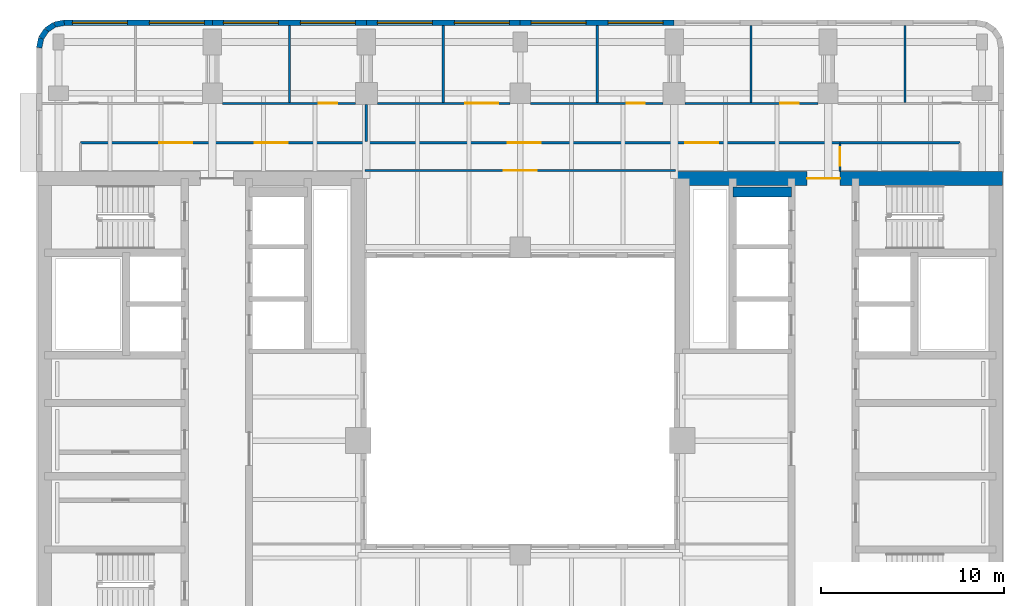
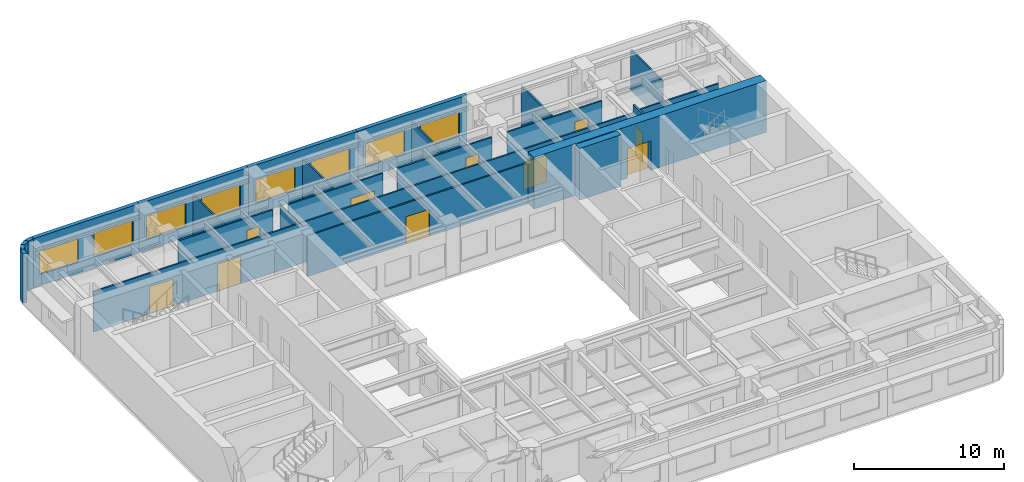
# One storey, part 7 of 11: 24 walls, 11 doors, 8 windows, 19 openings.
"""IFC4 building model written with IfcOpenShell, lengths in metres."""

import ifcopenshell
import ifcopenshell.guid

model = None  # the IFC model being written
_history = None  # IfcOwnerHistory: only IFC2X3 demands one
_inside = {}  # id of a spatial element -> (the spatial element, [elements in it])
_under = {}  # id of a project, library or spatial element -> (it, [spatial elements below it])
_declared = {}  # id of a project -> (the project, [libraries it declares])
_typed = {}  # id of a type object -> (the type object, [elements of that type])
_made_of = {}  # id of a material, layer set ... -> (it, [elements and type objects made of it])


def new_model(schema):
    """Start an empty IFC model of exactly this schema.

    Asked for "IFC4X3", IfcOpenShell would pick the latest addendum, in which some entities
    have other attributes; the version numbers below select the first issue.
    IFC2X3 requires an IfcOwnerHistory on every rooted entity: one is made here for all.
    """
    global model, _history
    if schema == "IFC4X3":
        model = ifcopenshell.file(schema_version=(4, 3, 0, 0))
    else:
        model = ifcopenshell.file(schema=schema)
    _inside.clear()
    _under.clear()
    _declared.clear()
    _typed.clear()
    _made_of.clear()
    _history = None
    if model.schema == "IFC2X3":
        org = make("IfcOrganization", Name="unknown")
        user = make(
            "IfcPersonAndOrganization",
            ThePerson=make("IfcPerson", FamilyName="unknown"),
            TheOrganization=org,
        )
        app = make(
            "IfcApplication",
            ApplicationDeveloper=org,
            Version="unknown",
            ApplicationFullName="unknown",
            ApplicationIdentifier="unknown",
        )
        _history = make(
            "IfcOwnerHistory",
            OwningUser=user,
            OwningApplication=app,
            ChangeAction="ADDED",
            CreationDate=0,
        )
    return model


def make(cls, **values):
    """One entity of the class cls with the attributes given. An attribute that is None is left unset."""
    return model.create_entity(
        cls, **{name: value for name, value in values.items() if value is not None}
    )


def rooted(cls, **values):
    """An entity with a GlobalId (a new one), such as an element, a storey or a relation."""
    return make(cls, GlobalId=ifcopenshell.guid.new(), OwnerHistory=_history, **values)


def si_unit(unit_type, name, prefix=None):
    """IfcSIUnit, for example si_unit("LENGTHUNIT", "METRE", prefix="MILLI")."""
    return make("IfcSIUnit", UnitType=unit_type, Prefix=prefix, Name=name)


def assignment(units):
    """IfcUnitAssignment: the units of a project."""
    return None if units is None else make("IfcUnitAssignment", Units=units)


def point(xyz):
    """IfcCartesianPoint."""
    return None if xyz is None else make("IfcCartesianPoint", Coordinates=xyz)


def direction(xyz):
    """IfcDirection."""
    return None if xyz is None else make("IfcDirection", DirectionRatios=xyz)


def frame(location, z_axis=None, x_axis=None):
    """IfcAxis2Placement3D, a coordinate frame: its origin and axes. An axis left out is left unset."""
    return make(
        "IfcAxis2Placement3D",
        Location=point(location),
        Axis=direction(z_axis),
        RefDirection=direction(x_axis),
    )


def frame_2d(location, x_axis=None):
    """IfcAxis2Placement2D, a coordinate frame in the plane: its origin and x axis."""
    return make(
        "IfcAxis2Placement2D", Location=point(location), RefDirection=direction(x_axis)
    )


def origin():
    """The frame at (0, 0, 0) with its axes left unset."""
    return frame((0.0, 0.0, 0.0))


def place(relative_to, where):
    """IfcLocalPlacement: puts the frame where relative to a parent placement (None: the world)."""
    return make(
        "IfcLocalPlacement", PlacementRelTo=relative_to, RelativePlacement=where
    )


def context(
    kind, dimensions, precision=None, world=None, true_north=None, identifier=None
):
    """IfcGeometricRepresentationContext, for example the 3D "Model" context."""
    return make(
        "IfcGeometricRepresentationContext",
        ContextIdentifier=identifier,
        ContextType=kind,
        CoordinateSpaceDimension=dimensions,
        Precision=precision,
        WorldCoordinateSystem=world,
        TrueNorth=true_north,
    )


def subcontext(parent, identifier, kind, view, scale=None):
    """IfcGeometricRepresentationSubContext, for example "Body" below "Model"."""
    return make(
        "IfcGeometricRepresentationSubContext",
        ContextIdentifier=identifier,
        ContextType=kind,
        ParentContext=parent,
        TargetScale=scale,
        TargetView=view,
    )


def project(units=None, contexts=None):
    """IfcProject with its units and contexts."""
    return rooted(
        "IfcProject",
        Name="project",
        RepresentationContexts=contexts,
        UnitsInContext=assignment(units),
    )


def spatial(cls, under=None, at=None, **own):
    """A site, building, storey or space (cls), placed at a placement, below another one or the project."""
    s = rooted(cls, ObjectPlacement=at, **own)
    if under is not None:
        _under.setdefault(under.id(), (under, []))[1].append(s)
    return s


def profile(cls, at=None, kind="AREA", **sizes):
    """A parametric profile (cls). Its sizes go by their IFC names, for example OverallWidth=200.0."""
    return make(cls, ProfileType=kind, Position=at, **sizes)


def rectangle(**sizes):
    """IfcRectangleProfileDef."""
    return profile("IfcRectangleProfileDef", **sizes)


def extrude(swept, where, along, depth):
    """IfcExtrudedAreaSolid: the profile swept, set in the frame where, extruded along a direction by depth."""
    return make(
        "IfcExtrudedAreaSolid",
        SweptArea=swept,
        Position=where,
        ExtrudedDirection=direction(along),
        Depth=depth,
    )


def shape(context_of_items, identifier, shape_type, items):
    """IfcShapeRepresentation: the items that make up one representation, for example the "Body"."""
    return make(
        "IfcShapeRepresentation",
        ContextOfItems=context_of_items,
        RepresentationIdentifier=identifier,
        RepresentationType=shape_type,
        Items=items,
    )


def material(Name=None, Category=None):
    """IfcMaterial."""
    return make("IfcMaterial", Name=Name, Category=Category)


def layer(
    of_material, thickness, ventilated=None, Name=None, Category=None, Priority=None
):
    """IfcMaterialLayer: one layer of a wall or slab, of a material (None: an air gap)."""
    return make(
        "IfcMaterialLayer",
        Material=of_material,
        LayerThickness=thickness,
        IsVentilated=ventilated,
        Name=Name,
        Category=Category,
        Priority=Priority,
    )


def layer_set(layers, Name=None):
    """IfcMaterialLayerSet."""
    return make("IfcMaterialLayerSet", MaterialLayers=layers, LayerSetName=Name)


def made_of(thing, what):
    """Note that an element or type object is made of a material, layer set ...; save() writes the relation."""
    if what is not None:
        _made_of.setdefault(what.id(), (what, []))[1].append(thing)
    return thing


def type_object(cls, material=None, **own):
    """A type object (cls), such as IfcWallType, which elements share."""
    return made_of(rooted(cls, **own), material)


def element(
    cls,
    number,
    at=None,
    inside=None,
    cuts=None,
    type_object=None,
    material=None,
    context=None,
    identifier="Body",
    shape_type=None,
    held_by="IfcProductDefinitionShape",
    body=None,
    shapes=None,
    **own,
):
    """One element of the class cls, such as IfcWall. Its Tag is "e" and its number.

    at: its placement. inside: the storey or other place that contains it. cuts: it is an
    opening in that element (IfcRelVoidsElement). A single representation is given by context,
    identifier, shape_type and body (its items); several are given by shapes. held_by: the class
    of the entity that holds the representations. save() writes the other relations.
    """
    e = rooted(cls, Tag="e%d" % number, ObjectPlacement=at, **own)
    if body is not None:
        shapes = [shape(context, identifier, shape_type, body)]
    if shapes is not None:
        e.Representation = make(held_by, Representations=shapes)
    if inside is not None:
        _inside.setdefault(inside.id(), (inside, []))[1].append(e)
    if cuts is not None:
        rooted(
            "IfcRelVoidsElement", RelatingBuildingElement=cuts, RelatedOpeningElement=e
        )
    if type_object is not None:
        _typed.setdefault(type_object.id(), (type_object, []))[1].append(e)
    return made_of(e, material)


def fill(opening, filler):
    """IfcRelFillsElement: the door or window that sits in an opening."""
    return rooted(
        "IfcRelFillsElement",
        RelatingOpeningElement=opening,
        RelatedBuildingElement=filler,
    )


def aggregate(whole, parts):
    """IfcRelAggregates: a whole, such as a stair, and the parts it consists of."""
    return rooted("IfcRelAggregates", RelatingObject=whole, RelatedObjects=parts)


def save(model, path):
    """Write the relations noted so far, then the file.

    IfcRelAggregates (storeys below a building ...), IfcRelContainedInSpatialStructure (elements
    in a storey), IfcRelDefinesByType, IfcRelAssociatesMaterial and IfcRelDeclares: one each for
    every whole, place, type object, material and project.
    """
    for whole, parts in _under.values():
        aggregate(whole, parts)
    for where, things in _inside.values():
        rooted(
            "IfcRelContainedInSpatialStructure",
            RelatedElements=things,
            RelatingStructure=where,
        )
    for kind, things in _typed.values():
        rooted("IfcRelDefinesByType", RelatedObjects=things, RelatingType=kind)
    for what, things in _made_of.values():
        rooted("IfcRelAssociatesMaterial", RelatedObjects=things, RelatingMaterial=what)
    for by, libraries in _declared.values():
        rooted("IfcRelDeclares", RelatingContext=by, RelatedDefinitions=libraries)
    model.write(path)


model = new_model("IFC4")

# Units and contexts
model_context = context("Model", 3, precision=1e-05, world=origin(), true_north=direction((0.0, 1.0)))
body_context = subcontext(model_context, "Body", "Model", "MODEL_VIEW")
ifc_project = project(units=[si_unit("LENGTHUNIT", "METRE"), si_unit("AREAUNIT", "SQUARE_METRE"), si_unit("VOLUMEUNIT", "CUBIC_METRE"), si_unit("PLANEANGLEUNIT", "RADIAN"), si_unit("MASSUNIT", "GRAM", prefix="KILO")], contexts=[model_context])

# Site, building, storey
site_placement = place(None, origin())
site = spatial("IfcSite", under=ifc_project, at=site_placement, CompositionType="ELEMENT")
building_placement = place(site_placement, origin())
building = spatial("IfcBuilding", under=site, at=building_placement, Name="Claustro Exchange Tower", CompositionType="ELEMENT")
storey_placement = place(building_placement, frame((0.0, 0.0, 240.60009765625)))
storey = spatial("IfcBuildingStorey", under=building, at=storey_placement, Name="L55", CompositionType="ELEMENT", Elevation=240.60009765625)

# Wall, opening, door
ifc_material_1 = material(Name="Laminated glass in aluminium frame", Category="aluminium")
ifc_layer_1 = layer(ifc_material_1, 0.1201171875)
ifc_layer_set_1 = layer_set([ifc_layer_1], Name="Laminated glass in aluminium frame")
wall_type_1 = type_object("IfcWallType", Name="P2 120 glazed partition", PredefinedType="PARTITIONING", material=ifc_layer_set_1)
wall_1_placement = place(storey_placement, frame((8.950927734375, 41.449951171875, 0.0), z_axis=(0.0, 0.0, 1.0), x_axis=(1.0, 0.0, 0.0)))
wall_1 = element("IfcWall", 1, at=wall_1_placement, inside=storey, type_object=wall_type_1, Name="Partition P2 L55", PredefinedType="PARTITIONING", context=body_context, shape_type="SweptSolid", body=[
    extrude(rectangle(XDim=7.25, YDim=0.1201171875, at=frame_2d((3.625, 0.0))), origin(), (0.0, 0.0, 1.0), 3.39990234375),
])
opening_1_placement = place(wall_1_placement, frame((5.2490234375, 0.0, 0.0)))
opening_1 = element("IfcOpeningElement", 2, at=opening_1_placement, cuts=wall_1, Name="Opening D7", PredefinedType="OPENING", context=body_context, shape_type="SweptSolid", body=[
    extrude(rectangle(XDim=1.0, YDim=2.39990234375, at=frame_2d((0.5, 1.199951171875))), frame((0.0, 0.070068359375, 0.0), z_axis=(0.0, -1.0, 0.0), x_axis=(1.0, 0.0, 0.0)), (0.0, 0.0, 1.0), 0.14013671875),
])
ifc_material_2 = material(Name="Glass door in aluminium frame", Category="aluminium")
door_type_1 = type_object("IfcDoorType", Name="D7 1000 x 2400 glazed door", OperationType="SINGLE_SWING_LEFT", PredefinedType="DOOR", material=ifc_material_2)
door_1_placement = place(opening_1_placement, origin())
door_1 = element("IfcDoor", 3, at=door_1_placement, inside=storey, type_object=door_type_1, Name="Door D7 L55", OperationType="SINGLE_SWING_LEFT", OverallHeight=2.39990234375, OverallWidth=1.0, PredefinedType="DOOR", context=body_context, shape_type="SweptSolid", body=[
    extrude(rectangle(XDim=1.0, YDim=2.39990234375, at=frame_2d((0.5, 1.199951171875))), frame((0.0, 0.02490234375, 0.0), z_axis=(0.0, -1.0, 0.0), x_axis=(1.0, 0.0, 0.0)), (0.0, 0.0, 1.0), 0.050048828125),
])
fill(opening_1, door_1)

wall_2_placement = place(storey_placement, frame((17.39892578125, 41.449951171875, 0.0), z_axis=(0.0, 0.0, 1.0), x_axis=(1.0, 0.0, 0.0)))
wall_2 = element("IfcWall", 4, at=wall_2_placement, inside=storey, type_object=wall_type_1, Name="Partition P2 L55", PredefinedType="PARTITIONING", context=body_context, shape_type="SweptSolid", body=[
    extrude(rectangle(XDim=7.25, YDim=0.1201171875, at=frame_2d((3.625, 0.0))), origin(), (0.0, 0.0, 1.0), 3.39990234375),
])
opening_2_placement = place(wall_2_placement, frame((4.801025390625, 0.0, 0.0)))
opening_2 = element("IfcOpeningElement", 5, at=opening_2_placement, cuts=wall_2, Name="Opening D2", PredefinedType="OPENING", context=body_context, shape_type="SweptSolid", body=[
    extrude(rectangle(XDim=1.800048828125, YDim=2.199951171875, at=frame_2d((0.89990234375, 1.10009765625))), frame((0.0, 0.070068359375, 0.0), z_axis=(0.0, -1.0, 0.0), x_axis=(1.0, 0.0, 0.0)), (0.0, 0.0, 1.0), 0.14013671875),
])
ifc_material_3 = material(Name="Timber door, oak veneer", Category="wood")
door_type_2 = type_object("IfcDoorType", Name="D2 1800 x 2200 double door", OperationType="DOUBLE_DOOR_SINGLE_SWING", PredefinedType="DOOR", material=ifc_material_3)
door_2_placement = place(opening_2_placement, origin())
door_2 = element("IfcDoor", 6, at=door_2_placement, inside=storey, type_object=door_type_2, Name="Double door D2 L55", OperationType="DOUBLE_DOOR_SINGLE_SWING", OverallHeight=2.199951171875, OverallWidth=1.800048828125, PredefinedType="DOOR", context=body_context, shape_type="SweptSolid", body=[
    extrude(rectangle(XDim=1.800048828125, YDim=2.199951171875, at=frame_2d((0.89990234375, 1.10009765625))), frame((0.0, 0.02490234375, 0.0), z_axis=(0.0, -1.0, 0.0), x_axis=(1.0, 0.0, 0.0)), (0.0, 0.0, 1.0), 0.050048828125),
])
fill(opening_2, door_2)

wall_3_placement = place(storey_placement, frame((25.7509765625, 41.449951171875, 0.0), z_axis=(0.0, 0.0, 1.0), x_axis=(1.0, 0.0, 0.0)))
wall_3 = element("IfcWall", 7, at=wall_3_placement, inside=storey, type_object=wall_type_1, Name="Partition P2 L55", PredefinedType="PARTITIONING", context=body_context, shape_type="SweptSolid", body=[
    extrude(rectangle(XDim=7.25, YDim=0.1201171875, at=frame_2d((3.625, 0.0))), origin(), (0.0, 0.0, 1.0), 3.39990234375),
])
opening_3_placement = place(wall_3_placement, frame((5.2490234375, 0.0, 0.0)))
opening_3 = element("IfcOpeningElement", 8, at=opening_3_placement, cuts=wall_3, Name="Opening D7", PredefinedType="OPENING", context=body_context, shape_type="SweptSolid", body=[
    extrude(rectangle(XDim=1.0, YDim=2.39990234375, at=frame_2d((0.5, 1.199951171875))), frame((0.0, 0.070068359375, 0.0), z_axis=(0.0, -1.0, 0.0), x_axis=(1.0, 0.0, 0.0)), (0.0, 0.0, 1.0), 0.14013671875),
])
door_3_placement = place(opening_3_placement, origin())
door_3 = element("IfcDoor", 9, at=door_3_placement, inside=storey, type_object=door_type_1, Name="Door D7 L55", OperationType="SINGLE_SWING_LEFT", OverallHeight=2.39990234375, OverallWidth=1.0, PredefinedType="DOOR", context=body_context, shape_type="SweptSolid", body=[
    extrude(rectangle(XDim=1.0, YDim=2.39990234375, at=frame_2d((0.5, 1.199951171875))), frame((0.0, 0.02490234375, 0.0), z_axis=(0.0, -1.0, 0.0), x_axis=(1.0, 0.0, 0.0)), (0.0, 0.0, 1.0), 0.050048828125),
])
fill(opening_3, door_3)

wall_4_placement = place(storey_placement, frame((34.198974609375, 41.449951171875, 0.0), z_axis=(0.0, 0.0, 1.0), x_axis=(1.0, 0.0, 0.0)))
wall_4 = element("IfcWall", 10, at=wall_4_placement, inside=storey, type_object=wall_type_1, Name="Partition P2 L55", PredefinedType="PARTITIONING", context=body_context, shape_type="SweptSolid", body=[
    extrude(rectangle(XDim=7.25, YDim=0.1201171875, at=frame_2d((3.625, 0.0))), origin(), (0.0, 0.0, 1.0), 3.39990234375),
])
opening_4_placement = place(wall_4_placement, frame((5.200927734375, 0.0, 0.0)))
opening_4 = element("IfcOpeningElement", 11, at=opening_4_placement, cuts=wall_4, Name="Opening D7", PredefinedType="OPENING", context=body_context, shape_type="SweptSolid", body=[
    extrude(rectangle(XDim=1.0, YDim=2.39990234375, at=frame_2d((0.5, 1.199951171875))), frame((0.0, 0.070068359375, 0.0), z_axis=(0.0, -1.0, 0.0), x_axis=(1.0, 0.0, 0.0)), (0.0, 0.0, 1.0), 0.14013671875),
])
door_4_placement = place(opening_4_placement, origin())
door_4 = element("IfcDoor", 12, at=door_4_placement, inside=storey, type_object=door_type_1, Name="Door D7 L55", OperationType="SINGLE_SWING_LEFT", OverallHeight=2.39990234375, OverallWidth=1.0, PredefinedType="DOOR", context=body_context, shape_type="SweptSolid", body=[
    extrude(rectangle(XDim=1.0, YDim=2.39990234375, at=frame_2d((0.5, 1.199951171875))), frame((0.0, 0.02490234375, 0.0), z_axis=(0.0, -1.0, 0.0), x_axis=(1.0, 0.0, 0.0)), (0.0, 0.0, 1.0), 0.050048828125),
])
fill(opening_4, door_4)

# Walls
for number, where, z_axis, x_axis, name in (
    (13, (12.60009765625, 41.508056640625, 0.0), (0.0, 0.0, 1.0), (0.0, 1.0, 0.0), "Partition P2 L55"),
    (14, (21.0, 41.508056640625, 0.0), (0.0, 0.0, 1.0), (0.0, 1.0, 0.0), "Partition P2 L55"),
    (15, (29.39990234375, 41.508056640625, 0.0), (0.0, 0.0, 1.0), (0.0, 1.0, 0.0), "Partition P2 L55"),
    (16, (37.800048828125, 41.508056640625, 0.0), (0.0, 0.0, 1.0), (0.0, 1.0, 0.0), "Partition P2 L55"),
    (17, (46.199951171875, 41.508056640625, 0.0), (0.0, 0.0, 1.0), (0.0, 1.0, 0.0), "Partition P2 L55"),
):
    element("IfcWall", number, at=place(storey_placement, frame(where, z_axis=z_axis, x_axis=x_axis)), inside=storey, type_object=wall_type_1, Name=name, PredefinedType="PARTITIONING", context=body_context, shape_type="SweptSolid", body=[
        extrude(rectangle(XDim=4.19384765625, YDim=0.1201171875, at=frame_2d((2.096923828125, 0.0))), origin(), (0.0, 0.0, 1.0), 3.2998046875),
    ])
wall_5_placement = place(storey_placement, frame((16.800048828125, 39.35791015625, 0.0), z_axis=(0.0, 0.0, 1.0), x_axis=(0.0, 1.0, 0.0)))
element("IfcWall", 18, at=wall_5_placement, inside=storey, type_object=wall_type_1, Name="Partition P2 L55", PredefinedType="PARTITIONING", context=body_context, shape_type="SweptSolid", body=[
    extrude(rectangle(XDim=2.04296875, YDim=0.1201171875, at=frame_2d((1.021484375, 0.0))), origin(), (0.0, 0.0, 1.0), 3.54296875),
])

# Wall, openings, doors
wall_6_placement = place(storey_placement, frame((1.199951171875, 39.300048828125, 0.0), z_axis=(0.0, 0.0, 1.0), x_axis=(1.0, 0.0, 0.0)))
wall_6 = element("IfcWall", 19, at=wall_6_placement, inside=storey, type_object=wall_type_1, Name="Partition P2 L55", PredefinedType="PARTITIONING", context=body_context, shape_type="SweptSolid", body=[
    extrude(rectangle(XDim=41.4521484375, YDim=0.1201171875, at=frame_2d((20.72607421875, 0.0))), origin(), (0.0, 0.0, 1.0), 3.2998046875),
])
opening_5_placement = place(wall_6_placement, frame((4.300048828125, 0.0, 0.0)))
opening_5 = element("IfcOpeningElement", 20, at=opening_5_placement, cuts=wall_6, Name="Opening D2", PredefinedType="OPENING", context=body_context, shape_type="SweptSolid", body=[
    extrude(rectangle(XDim=1.800048828125, YDim=2.199951171875, at=frame_2d((0.89990234375, 1.10009765625))), frame((0.0, 0.070068359375, 0.0), z_axis=(0.0, -1.0, 0.0), x_axis=(1.0, 0.0, 0.0)), (0.0, 0.0, 1.0), 0.14013671875),
])
opening_6_placement = place(wall_6_placement, frame((9.5, 0.0, 0.0)))
opening_6 = element("IfcOpeningElement", 21, at=opening_6_placement, cuts=wall_6, Name="Opening D2", PredefinedType="OPENING", context=body_context, shape_type="SweptSolid", body=[
    extrude(rectangle(XDim=1.800048828125, YDim=2.199951171875, at=frame_2d((0.89990234375, 1.10009765625))), frame((0.0, 0.070068359375, 0.0), z_axis=(0.0, -1.0, 0.0), x_axis=(1.0, 0.0, 0.0)), (0.0, 0.0, 1.0), 0.14013671875),
])
opening_7_placement = place(wall_6_placement, frame((23.316650390625, 0.0, 0.0)))
opening_7 = element("IfcOpeningElement", 22, at=opening_7_placement, cuts=wall_6, Name="Opening D2", PredefinedType="OPENING", context=body_context, shape_type="SweptSolid", body=[
    extrude(rectangle(XDim=1.800048828125, YDim=2.199951171875, at=frame_2d((0.89990234375, 1.10009765625))), frame((0.0, 0.070068359375, 0.0), z_axis=(0.0, -1.0, 0.0), x_axis=(1.0, 0.0, 0.0)), (0.0, 0.0, 1.0), 0.14013671875),
])
opening_8_placement = place(wall_6_placement, frame((33.0, 0.0, 0.0)))
opening_8 = element("IfcOpeningElement", 23, at=opening_8_placement, cuts=wall_6, Name="Opening D2", PredefinedType="OPENING", context=body_context, shape_type="SweptSolid", body=[
    extrude(rectangle(XDim=1.800048828125, YDim=2.199951171875, at=frame_2d((0.89990234375, 1.10009765625))), frame((0.0, 0.070068359375, 0.0), z_axis=(0.0, -1.0, 0.0), x_axis=(1.0, 0.0, 0.0)), (0.0, 0.0, 1.0), 0.14013671875),
])
door_5_placement = place(opening_5_placement, origin())
door_5 = element("IfcDoor", 24, at=door_5_placement, inside=storey, type_object=door_type_2, Name="Double door D2 L55", OperationType="DOUBLE_DOOR_SINGLE_SWING", OverallHeight=2.199951171875, OverallWidth=1.800048828125, PredefinedType="DOOR", context=body_context, shape_type="SweptSolid", body=[
    extrude(rectangle(XDim=1.800048828125, YDim=2.199951171875, at=frame_2d((0.89990234375, 1.10009765625))), frame((0.0, 0.02490234375, 0.0), z_axis=(0.0, -1.0, 0.0), x_axis=(1.0, 0.0, 0.0)), (0.0, 0.0, 1.0), 0.050048828125),
])
fill(opening_5, door_5)
door_6_placement = place(opening_6_placement, origin())
door_6 = element("IfcDoor", 25, at=door_6_placement, inside=storey, type_object=door_type_2, Name="Double door D2 L55", OperationType="DOUBLE_DOOR_SINGLE_SWING", OverallHeight=2.199951171875, OverallWidth=1.800048828125, PredefinedType="DOOR", context=body_context, shape_type="SweptSolid", body=[
    extrude(rectangle(XDim=1.800048828125, YDim=2.199951171875, at=frame_2d((0.89990234375, 1.10009765625))), frame((0.0, 0.02490234375, 0.0), z_axis=(0.0, -1.0, 0.0), x_axis=(1.0, 0.0, 0.0)), (0.0, 0.0, 1.0), 0.050048828125),
])
fill(opening_6, door_6)
door_7_placement = place(opening_7_placement, origin())
door_7 = element("IfcDoor", 26, at=door_7_placement, inside=storey, type_object=door_type_2, Name="Double door D2 L55", OperationType="DOUBLE_DOOR_SINGLE_SWING", OverallHeight=2.199951171875, OverallWidth=1.800048828125, PredefinedType="DOOR", context=body_context, shape_type="SweptSolid", body=[
    extrude(rectangle(XDim=1.800048828125, YDim=2.199951171875, at=frame_2d((0.89990234375, 1.10009765625))), frame((0.0, 0.02490234375, 0.0), z_axis=(0.0, -1.0, 0.0), x_axis=(1.0, 0.0, 0.0)), (0.0, 0.0, 1.0), 0.050048828125),
])
fill(opening_7, door_7)
door_8_placement = place(opening_8_placement, origin())
door_8 = element("IfcDoor", 27, at=door_8_placement, inside=storey, type_object=door_type_2, Name="Double door D2 L55", OperationType="DOUBLE_DOOR_SINGLE_SWING", OverallHeight=2.199951171875, OverallWidth=1.800048828125, PredefinedType="DOOR", context=body_context, shape_type="SweptSolid", body=[
    extrude(rectangle(XDim=1.800048828125, YDim=2.199951171875, at=frame_2d((0.89990234375, 1.10009765625))), frame((0.0, 0.02490234375, 0.0), z_axis=(0.0, -1.0, 0.0), x_axis=(1.0, 0.0, 0.0)), (0.0, 0.0, 1.0), 0.050048828125),
])
fill(opening_8, door_8)

# Wall, opening, door
wall_7_placement = place(storey_placement, frame((42.64990234375, 37.72412109375, 0.0), z_axis=(0.0, 0.0, 1.0), x_axis=(0.0, 1.0, 0.0)))
wall_7 = element("IfcWall", 28, at=wall_7_placement, inside=storey, type_object=wall_type_1, Name="Partition P2 L55", PredefinedType="PARTITIONING", context=body_context, shape_type="SweptSolid", body=[
    extrude(rectangle(XDim=1.517822265625, YDim=0.1201171875, at=frame_2d((0.7587890625, 0.0))), origin(), (0.0, 0.0, 1.0), 4.0),
])
opening_9_placement = place(wall_7_placement, frame((0.325927734375, 0.0, 0.0)))
opening_9 = element("IfcOpeningElement", 29, at=opening_9_placement, cuts=wall_7, Name="Opening D7", PredefinedType="OPENING", context=body_context, shape_type="SweptSolid", body=[
    extrude(rectangle(XDim=1.0, YDim=2.39990234375, at=frame_2d((0.5, 1.199951171875))), frame((0.0, 0.070068359375, 0.0), z_axis=(0.0, -1.0, 0.0), x_axis=(1.0, 0.0, 0.0)), (0.0, 0.0, 1.0), 0.14013671875),
])
door_9_placement = place(opening_9_placement, frame((1.0, 0.0, 0.0), z_axis=(0.0, 0.0, 1.0), x_axis=(-1.0, 0.0, 0.0)))
door_9 = element("IfcDoor", 30, at=door_9_placement, inside=storey, type_object=door_type_1, Name="Door D7 L55", OperationType="SINGLE_SWING_RIGHT", OverallHeight=2.39990234375, OverallWidth=1.0, PredefinedType="DOOR", context=body_context, shape_type="SweptSolid", body=[
    extrude(rectangle(XDim=1.0, YDim=2.39990234375, at=frame_2d((0.5, 1.199951171875))), frame((0.0, 0.02490234375, 0.0), z_axis=(0.0, -1.0, 0.0), x_axis=(1.0, 0.0, 0.0)), (0.0, 0.0, 1.0), 0.050048828125),
])
fill(opening_9, door_9)

# Wall
wall_8_placement = place(storey_placement, frame((42.64794921875, 39.300048828125, 0.0), z_axis=(0.0, 0.0, 1.0), x_axis=(1.0, 0.0, 0.0)))
element("IfcWall", 31, at=wall_8_placement, inside=storey, type_object=wall_type_1, Name="Partition P2 L55", PredefinedType="PARTITIONING", context=body_context, shape_type="SweptSolid", body=[
    extrude(rectangle(XDim=6.552001953125, YDim=0.1201171875, at=frame_2d((3.27587890625, 0.0))), origin(), (0.0, 0.0, 1.0), 3.39990234375),
])

# Wall, opening, door
wall_9_placement = place(storey_placement, frame((16.72509765625, 37.784912109375, 0.0), z_axis=(0.0, 0.0, 1.0), x_axis=(1.0, 0.0, 0.0)))
wall_9 = element("IfcWall", 32, at=wall_9_placement, inside=storey, type_object=wall_type_1, Name="Partition P2 L55", PredefinedType="PARTITIONING", context=body_context, shape_type="SweptSolid", body=[
    extrude(rectangle(XDim=16.949951171875, YDim=0.1201171875, at=frame_2d((8.47509765625, 0.0))), origin(), (0.0, 0.0, 1.0), 3.2998046875),
])
opening_10_placement = place(wall_9_placement, frame((7.574951171875, 0.0, 0.0)))
opening_10 = element("IfcOpeningElement", 33, at=opening_10_placement, cuts=wall_9, Name="Opening D2", PredefinedType="OPENING", context=body_context, shape_type="SweptSolid", body=[
    extrude(rectangle(XDim=1.800048828125, YDim=2.199951171875, at=frame_2d((0.89990234375, 1.10009765625))), frame((0.0, 0.070068359375, 0.0), z_axis=(0.0, -1.0, 0.0), x_axis=(1.0, 0.0, 0.0)), (0.0, 0.0, 1.0), 0.14013671875),
])
door_10_placement = place(opening_10_placement, frame((1.800048828125, 0.0, 0.0), z_axis=(0.0, 0.0, 1.0), x_axis=(-1.0, 0.0, 0.0)))
door_10 = element("IfcDoor", 34, at=door_10_placement, inside=storey, type_object=door_type_2, Name="Double door D2 L55", OperationType="DOUBLE_DOOR_SINGLE_SWING", OverallHeight=2.199951171875, OverallWidth=1.800048828125, PredefinedType="DOOR", context=body_context, shape_type="SweptSolid", body=[
    extrude(rectangle(XDim=1.800048828125, YDim=2.199951171875, at=frame_2d((0.89990234375, 1.10009765625))), frame((0.0, 0.02490234375, 0.0), z_axis=(0.0, -1.0, 0.0), x_axis=(1.0, 0.0, 0.0)), (0.0, 0.0, 1.0), 0.050048828125),
])
fill(opening_10, door_10)

# Walls
ifc_material_4 = material(Name="Concrete HA-40 (C40/50), precast, white cement, acid-etched", Category="concrete")
ifc_layer_2 = layer(ifc_material_4, 0.300048828125)
ifc_layer_set_2 = layer_set([ifc_layer_2], Name="Concrete HA-40 (C40/50), precast, white cement, acid-etched")
wall_type_2 = type_object("IfcWallType", Name="PC1 300 precast concrete pier panel", PredefinedType="SOLIDWALL", material=ifc_layer_set_2)
wall_10_placement = place(storey_placement, frame((-1.050048828125, 44.485107421875, 0.0), z_axis=(0.0, 0.0, 1.0), x_axis=(0.195073962632, 0.980788534345, 0.0)))
element("IfcWall", 35, at=wall_10_placement, inside=storey, type_object=wall_type_2, Name="Precast pier panel PC1 L55", PredefinedType="SOLIDWALL", context=body_context, shape_type="SweptSolid", body=[
    extrude(rectangle(XDim=0.540771484375, YDim=0.300048828125, at=frame_2d((0.2705078125, 0.0))), origin(), (0.0, 0.0, 1.0), 4.0),
])
wall_11_placement = place(storey_placement, frame((-0.944580078125, 45.015380859375, 0.0), z_axis=(0.0, 0.0, 1.0), x_axis=(0.55534295404, 0.831621430339, 0.0)))
element("IfcWall", 36, at=wall_11_placement, inside=storey, type_object=wall_type_2, Name="Precast pier panel PC1 L55", PredefinedType="SOLIDWALL", context=body_context, shape_type="SweptSolid", body=[
    extrude(rectangle(XDim=0.52587890625, YDim=0.300048828125, at=frame_2d((0.262939453125, 0.0))), origin(), (0.0, 0.0, 1.0), 4.0),
])
wall_12_placement = place(storey_placement, frame((-0.652587890625, 45.45263671875, 0.0), z_axis=(0.0, 0.0, 1.0), x_axis=(0.831692711774, 0.555236195849, 0.0)))
element("IfcWall", 37, at=wall_12_placement, inside=storey, type_object=wall_type_2, Name="Precast pier panel PC1 L55", PredefinedType="SOLIDWALL", context=body_context, shape_type="SweptSolid", body=[
    extrude(rectangle(XDim=0.525390625, YDim=0.300048828125, at=frame_2d((0.2626953125, 0.0))), origin(), (0.0, 0.0, 1.0), 4.0),
])
wall_13_placement = place(storey_placement, frame((-0.215576171875, 45.744384765625, 0.0), z_axis=(0.0, 0.0, 1.0), x_axis=(0.980702050465, 0.1955082817, 0.0)))
element("IfcWall", 38, at=wall_13_placement, inside=storey, type_object=wall_type_2, Name="Precast pier panel PC1 L55", PredefinedType="SOLIDWALL", context=body_context, shape_type="SweptSolid", body=[
    extrude(rectangle(XDim=0.540771484375, YDim=0.300048828125, at=frame_2d((0.2705078125, 0.0))), origin(), (0.0, 0.0, 1.0), 4.0),
])

# Wall, openings, windows
wall_14_placement = place(storey_placement, frame((0.314697265625, 45.85009765625, 0.0), z_axis=(0.0, 0.0, 1.0), x_axis=(1.0, 0.0, 0.0)))
wall_14 = element("IfcWall", 39, at=wall_14_placement, inside=storey, type_object=wall_type_2, Name="Precast pier panel PC1 L55", PredefinedType="SOLIDWALL", context=body_context, shape_type="SweptSolid", body=[
    extrude(rectangle(XDim=8.085205078125, YDim=0.300048828125, at=frame_2d((4.04248046875, 0.0))), origin(), (0.0, 0.0, 1.0), 4.0),
])
opening_11_placement = place(wall_14_placement, frame((0.442626953125, 0.0, 0.89990234375)))
opening_11 = element("IfcOpeningElement", 40, at=opening_11_placement, cuts=wall_14, Name="Opening W1", PredefinedType="OPENING", context=body_context, shape_type="SweptSolid", body=[
    extrude(rectangle(XDim=3.0, YDim=1.89990234375, at=frame_2d((1.5, 0.949951171875))), frame((0.0, 0.159912109375, 0.0), z_axis=(0.0, -1.0, 0.0), x_axis=(1.0, 0.0, 0.0)), (0.0, 0.0, 1.0), 0.320068359375),
])
opening_12_placement = place(wall_14_placement, frame((4.642578125, 0.0, 0.89990234375)))
opening_12 = element("IfcOpeningElement", 41, at=opening_12_placement, cuts=wall_14, Name="Opening W1", PredefinedType="OPENING", context=body_context, shape_type="SweptSolid", body=[
    extrude(rectangle(XDim=3.0, YDim=1.89990234375, at=frame_2d((1.5, 0.949951171875))), frame((0.0, 0.159912109375, 0.0), z_axis=(0.0, -1.0, 0.0), x_axis=(1.0, 0.0, 0.0)), (0.0, 0.0, 1.0), 0.320068359375),
])
ifc_material_5 = material(Name="Aluminium frame, clear double glazing", Category="aluminium")
window_type = type_object("IfcWindowType", Name="W1 3000 x 1900 window", PartitioningType="SINGLE_PANEL", PredefinedType="WINDOW", material=ifc_material_5)
window_1_placement = place(opening_11_placement, origin())
window_1 = element("IfcWindow", 42, at=window_1_placement, inside=storey, type_object=window_type, Name="Window W1 L55", OverallHeight=1.89990234375, OverallWidth=3.0, PartitioningType="SINGLE_PANEL", PredefinedType="WINDOW", context=body_context, shape_type="SweptSolid", body=[
    extrude(rectangle(XDim=3.0, YDim=1.89990234375, at=frame_2d((1.5, 0.949951171875))), frame((0.0, 0.030029296875, 0.0), z_axis=(0.0, -1.0, 0.0), x_axis=(1.0, 0.0, 0.0)), (0.0, 0.0, 1.0), 0.06005859375),
])
fill(opening_11, window_1)
window_2_placement = place(opening_12_placement, origin())
window_2 = element("IfcWindow", 43, at=window_2_placement, inside=storey, type_object=window_type, Name="Window W1 L55", OverallHeight=1.89990234375, OverallWidth=3.0, PartitioningType="SINGLE_PANEL", PredefinedType="WINDOW", context=body_context, shape_type="SweptSolid", body=[
    extrude(rectangle(XDim=3.0, YDim=1.89990234375, at=frame_2d((1.5, 0.949951171875))), frame((0.0, 0.030029296875, 0.0), z_axis=(0.0, -1.0, 0.0), x_axis=(1.0, 0.0, 0.0)), (0.0, 0.0, 1.0), 0.06005859375),
])
fill(opening_12, window_2)

wall_15_placement = place(storey_placement, frame((8.39990234375, 45.85009765625, 0.0), z_axis=(0.0, 0.0, 1.0), x_axis=(1.0, 0.0, 0.0)))
wall_15 = element("IfcWall", 44, at=wall_15_placement, inside=storey, type_object=wall_type_2, Name="Precast pier panel PC1 L55", PredefinedType="SOLIDWALL", context=body_context, shape_type="SweptSolid", body=[
    extrude(rectangle(XDim=8.400146484375, YDim=0.300048828125, at=frame_2d((4.2001953125, 0.0))), origin(), (0.0, 0.0, 1.0), 4.0),
])
opening_13_placement = place(wall_15_placement, frame((0.60009765625, 0.0, 0.89990234375)))
opening_13 = element("IfcOpeningElement", 45, at=opening_13_placement, cuts=wall_15, Name="Opening W1", PredefinedType="OPENING", context=body_context, shape_type="SweptSolid", body=[
    extrude(rectangle(XDim=3.0, YDim=1.89990234375, at=frame_2d((1.5, 0.949951171875))), frame((0.0, 0.159912109375, 0.0), z_axis=(0.0, -1.0, 0.0), x_axis=(1.0, 0.0, 0.0)), (0.0, 0.0, 1.0), 0.320068359375),
])
opening_14_placement = place(wall_15_placement, frame((4.800048828125, 0.0, 0.89990234375)))
opening_14 = element("IfcOpeningElement", 46, at=opening_14_placement, cuts=wall_15, Name="Opening W1", PredefinedType="OPENING", context=body_context, shape_type="SweptSolid", body=[
    extrude(rectangle(XDim=3.0, YDim=1.89990234375, at=frame_2d((1.5, 0.949951171875))), frame((0.0, 0.159912109375, 0.0), z_axis=(0.0, -1.0, 0.0), x_axis=(1.0, 0.0, 0.0)), (0.0, 0.0, 1.0), 0.320068359375),
])
window_3_placement = place(opening_13_placement, origin())
window_3 = element("IfcWindow", 47, at=window_3_placement, inside=storey, type_object=window_type, Name="Window W1 L55", OverallHeight=1.89990234375, OverallWidth=3.0, PartitioningType="SINGLE_PANEL", PredefinedType="WINDOW", context=body_context, shape_type="SweptSolid", body=[
    extrude(rectangle(XDim=3.0, YDim=1.89990234375, at=frame_2d((1.5, 0.949951171875))), frame((0.0, 0.030029296875, 0.0), z_axis=(0.0, -1.0, 0.0), x_axis=(1.0, 0.0, 0.0)), (0.0, 0.0, 1.0), 0.06005859375),
])
fill(opening_13, window_3)
window_4_placement = place(opening_14_placement, origin())
window_4 = element("IfcWindow", 48, at=window_4_placement, inside=storey, type_object=window_type, Name="Window W1 L55", OverallHeight=1.89990234375, OverallWidth=3.0, PartitioningType="SINGLE_PANEL", PredefinedType="WINDOW", context=body_context, shape_type="SweptSolid", body=[
    extrude(rectangle(XDim=3.0, YDim=1.89990234375, at=frame_2d((1.5, 0.949951171875))), frame((0.0, 0.030029296875, 0.0), z_axis=(0.0, -1.0, 0.0), x_axis=(1.0, 0.0, 0.0)), (0.0, 0.0, 1.0), 0.06005859375),
])
fill(opening_14, window_4)

wall_16_placement = place(storey_placement, frame((16.800048828125, 45.85009765625, 0.0), z_axis=(0.0, 0.0, 1.0), x_axis=(1.0, 0.0, 0.0)))
wall_16 = element("IfcWall", 49, at=wall_16_placement, inside=storey, type_object=wall_type_2, Name="Precast pier panel PC1 L55", PredefinedType="SOLIDWALL", context=body_context, shape_type="SweptSolid", body=[
    extrude(rectangle(XDim=8.39990234375, YDim=0.300048828125, at=frame_2d((4.199951171875, 0.0))), origin(), (0.0, 0.0, 1.0), 4.0),
])
opening_15_placement = place(wall_16_placement, frame((0.60009765625, 0.0, 0.89990234375)))
opening_15 = element("IfcOpeningElement", 50, at=opening_15_placement, cuts=wall_16, Name="Opening W1", PredefinedType="OPENING", context=body_context, shape_type="SweptSolid", body=[
    extrude(rectangle(XDim=3.0, YDim=1.89990234375, at=frame_2d((1.5, 0.949951171875))), frame((0.0, 0.159912109375, 0.0), z_axis=(0.0, -1.0, 0.0), x_axis=(1.0, 0.0, 0.0)), (0.0, 0.0, 1.0), 0.320068359375),
])
opening_16_placement = place(wall_16_placement, frame((4.800048828125, 0.0, 0.89990234375)))
opening_16 = element("IfcOpeningElement", 51, at=opening_16_placement, cuts=wall_16, Name="Opening W1", PredefinedType="OPENING", context=body_context, shape_type="SweptSolid", body=[
    extrude(rectangle(XDim=3.0, YDim=1.89990234375, at=frame_2d((1.5, 0.949951171875))), frame((0.0, 0.159912109375, 0.0), z_axis=(0.0, -1.0, 0.0), x_axis=(1.0, 0.0, 0.0)), (0.0, 0.0, 1.0), 0.320068359375),
])
window_5_placement = place(opening_15_placement, origin())
window_5 = element("IfcWindow", 52, at=window_5_placement, inside=storey, type_object=window_type, Name="Window W1 L55", OverallHeight=1.89990234375, OverallWidth=3.0, PartitioningType="SINGLE_PANEL", PredefinedType="WINDOW", context=body_context, shape_type="SweptSolid", body=[
    extrude(rectangle(XDim=3.0, YDim=1.89990234375, at=frame_2d((1.5, 0.949951171875))), frame((0.0, 0.030029296875, 0.0), z_axis=(0.0, -1.0, 0.0), x_axis=(1.0, 0.0, 0.0)), (0.0, 0.0, 1.0), 0.06005859375),
])
fill(opening_15, window_5)
window_6_placement = place(opening_16_placement, origin())
window_6 = element("IfcWindow", 53, at=window_6_placement, inside=storey, type_object=window_type, Name="Window W1 L55", OverallHeight=1.89990234375, OverallWidth=3.0, PartitioningType="SINGLE_PANEL", PredefinedType="WINDOW", context=body_context, shape_type="SweptSolid", body=[
    extrude(rectangle(XDim=3.0, YDim=1.89990234375, at=frame_2d((1.5, 0.949951171875))), frame((0.0, 0.030029296875, 0.0), z_axis=(0.0, -1.0, 0.0), x_axis=(1.0, 0.0, 0.0)), (0.0, 0.0, 1.0), 0.06005859375),
])
fill(opening_16, window_6)

wall_17_placement = place(storey_placement, frame((25.199951171875, 45.85009765625, 0.0), z_axis=(0.0, 0.0, 1.0), x_axis=(1.0, 0.0, 0.0)))
wall_17 = element("IfcWall", 54, at=wall_17_placement, inside=storey, type_object=wall_type_2, Name="Precast pier panel PC1 L55", PredefinedType="SOLIDWALL", context=body_context, shape_type="SweptSolid", body=[
    extrude(rectangle(XDim=8.400146484375, YDim=0.300048828125, at=frame_2d((4.2001953125, 0.0))), origin(), (0.0, 0.0, 1.0), 4.0),
])
opening_17_placement = place(wall_17_placement, frame((0.60009765625, 0.0, 0.89990234375)))
opening_17 = element("IfcOpeningElement", 55, at=opening_17_placement, cuts=wall_17, Name="Opening W1", PredefinedType="OPENING", context=body_context, shape_type="SweptSolid", body=[
    extrude(rectangle(XDim=3.0, YDim=1.89990234375, at=frame_2d((1.5, 0.949951171875))), frame((0.0, 0.159912109375, 0.0), z_axis=(0.0, -1.0, 0.0), x_axis=(1.0, 0.0, 0.0)), (0.0, 0.0, 1.0), 0.320068359375),
])
opening_18_placement = place(wall_17_placement, frame((4.800048828125, 0.0, 0.89990234375)))
opening_18 = element("IfcOpeningElement", 56, at=opening_18_placement, cuts=wall_17, Name="Opening W1", PredefinedType="OPENING", context=body_context, shape_type="SweptSolid", body=[
    extrude(rectangle(XDim=3.0, YDim=1.89990234375, at=frame_2d((1.5, 0.949951171875))), frame((0.0, 0.159912109375, 0.0), z_axis=(0.0, -1.0, 0.0), x_axis=(1.0, 0.0, 0.0)), (0.0, 0.0, 1.0), 0.320068359375),
])
window_7_placement = place(opening_17_placement, origin())
window_7 = element("IfcWindow", 57, at=window_7_placement, inside=storey, type_object=window_type, Name="Window W1 L55", OverallHeight=1.89990234375, OverallWidth=3.0, PartitioningType="SINGLE_PANEL", PredefinedType="WINDOW", context=body_context, shape_type="SweptSolid", body=[
    extrude(rectangle(XDim=3.0, YDim=1.89990234375, at=frame_2d((1.5, 0.949951171875))), frame((0.0, 0.030029296875, 0.0), z_axis=(0.0, -1.0, 0.0), x_axis=(1.0, 0.0, 0.0)), (0.0, 0.0, 1.0), 0.06005859375),
])
fill(opening_17, window_7)
window_8_placement = place(opening_18_placement, origin())
window_8 = element("IfcWindow", 58, at=window_8_placement, inside=storey, type_object=window_type, Name="Window W1 L55", OverallHeight=1.89990234375, OverallWidth=3.0, PartitioningType="SINGLE_PANEL", PredefinedType="WINDOW", context=body_context, shape_type="SweptSolid", body=[
    extrude(rectangle(XDim=3.0, YDim=1.89990234375, at=frame_2d((1.5, 0.949951171875))), frame((0.0, 0.030029296875, 0.0), z_axis=(0.0, -1.0, 0.0), x_axis=(1.0, 0.0, 0.0)), (0.0, 0.0, 1.0), 0.06005859375),
])
fill(opening_18, window_8)

# Wall, opening, door
ifc_material_6 = material(Name="Concrete HA-70 (C70/85)", Category="concrete")
ifc_layer_3 = layer(ifc_material_6, 0.75)
ifc_layer_set_3 = layer_set([ifc_layer_3], Name="Concrete HA-70 (C70/85)")
wall_type_3 = type_object("IfcWallType", Name="SW2 750 core shear wall", PredefinedType="SHEAR", material=ifc_layer_set_3)
wall_18_placement = place(storey_placement, frame((33.675048828125, 37.35009765625, 0.0), z_axis=(0.0, 0.0, 1.0), x_axis=(1.0, 0.0, 0.0)))
wall_18 = element("IfcWall", 59, at=wall_18_placement, inside=storey, type_object=wall_type_3, Name="Core wall SW2 E core N face L55", PredefinedType="SHEAR", context=body_context, shape_type="SweptSolid", body=[
    extrude(rectangle(XDim=17.849853515625, YDim=0.75, at=frame_2d((8.9248046875, 0.0))), origin(), (0.0, 0.0, 1.0), 4.199951171875),
])
opening_19_placement = place(wall_18_placement, frame((7.175048828125, 0.0, 0.0)))
opening_19 = element("IfcOpeningElement", 60, at=opening_19_placement, cuts=wall_18, Name="Opening D3", PredefinedType="OPENING", context=body_context, shape_type="SweptSolid", body=[
    extrude(rectangle(XDim=1.800048828125, YDim=2.39990234375, at=frame_2d((0.89990234375, 1.199951171875))), frame((0.0, 0.385009765625, 0.0), z_axis=(0.0, -1.0, 0.0), x_axis=(1.0, 0.0, 0.0)), (0.0, 0.0, 1.0), 0.77001953125),
])
ifc_material_7 = material(Name="Steel fire door, painted", Category="steel")
door_type_3 = type_object("IfcDoorType", Name="D3 1800 x 2400 fire-rated lobby double door", OperationType="DOUBLE_DOOR_SINGLE_SWING", PredefinedType="DOOR", material=ifc_material_7)
door_11_placement = place(opening_19_placement, frame((1.800048828125, 0.0, 0.0), z_axis=(0.0, 0.0, 1.0), x_axis=(-1.0, 0.0, 0.0)))
door_11 = element("IfcDoor", 61, at=door_11_placement, inside=storey, type_object=door_type_3, Name="Lift lobby door D3 L55", OperationType="DOUBLE_DOOR_SINGLE_SWING", OverallHeight=2.39990234375, OverallWidth=1.800048828125, PredefinedType="DOOR", context=body_context, shape_type="SweptSolid", body=[
    extrude(rectangle(XDim=1.800048828125, YDim=2.39990234375, at=frame_2d((0.89990234375, 1.199951171875))), frame((0.0, 0.02490234375, 0.0), z_axis=(0.0, -1.0, 0.0), x_axis=(1.0, 0.0, 0.0)), (0.0, 0.0, 1.0), 0.050048828125),
])
fill(opening_19, door_11)

# Wall
ifc_material_8 = material(Name="Concrete HA-50 (C50/60)", Category="concrete")
ifc_layer_4 = layer(ifc_material_8, 0.550048828125)
ifc_layer_set_4 = layer_set([ifc_layer_4], Name="Concrete HA-50 (C50/60)")
wall_type_4 = type_object("IfcWallType", Name="SW6 550 lift shaft end wall", PredefinedType="SHEAR", material=ifc_layer_set_4)
wall_19_placement = place(storey_placement, frame((40.0, 36.625, 0.0), z_axis=(0.0, 0.0, 1.0), x_axis=(-1.0, 0.0, 0.0)))
element("IfcWall", 62, at=wall_19_placement, inside=storey, type_object=wall_type_4, Name="Lift shaft wall E core L55", PredefinedType="SHEAR", context=body_context, shape_type="SweptSolid", body=[
    extrude(rectangle(XDim=3.199951171875, YDim=0.550048828125, at=frame_2d((1.60009765625, 0.0))), origin(), (0.0, 0.0, 1.0), 4.199951171875),
])

save(model, "model.ifc")
